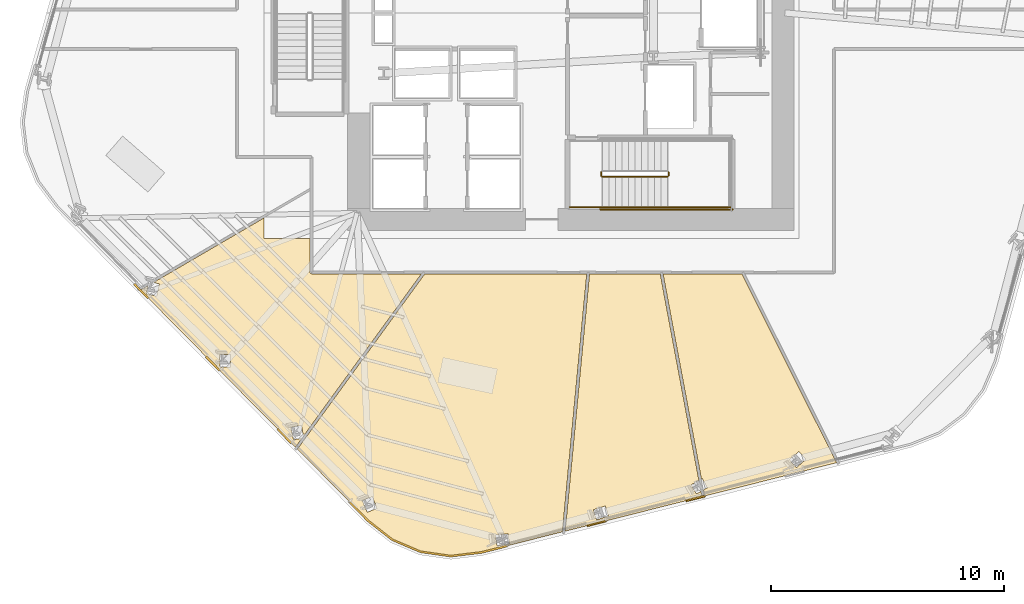
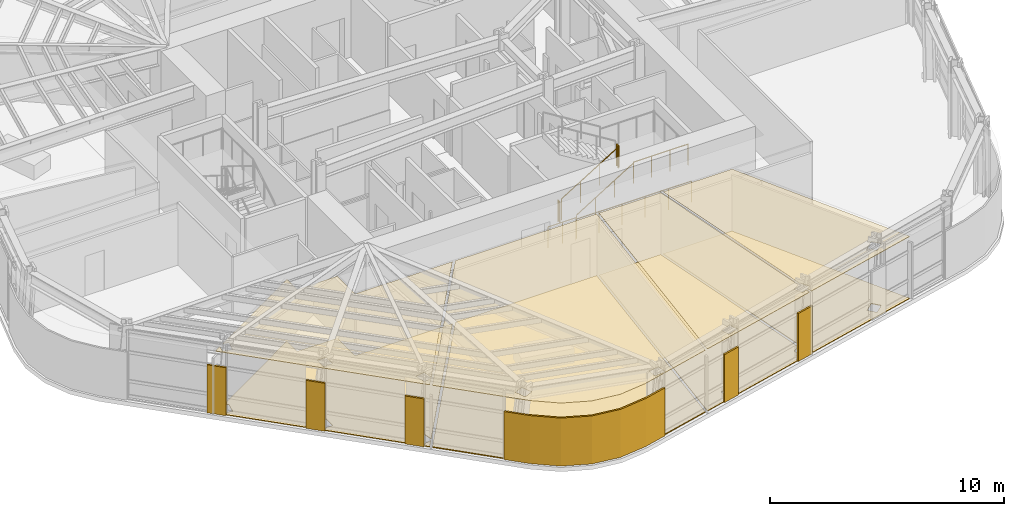
# One storey, part 12 of 17: 14 coverings, 7 railings.
"""IFC4 building model written with IfcOpenShell, lengths in metres."""

from ifc_helpers import new_model, si_unit, direction, frame, origin, origin_2d, place, context, subcontext, project, spatial, polyline, circle, outline, extrude, material, layer, layer_set, type_object, element, save


model = new_model("IFC4")

# Units and contexts
model_context = context("Model", 3, precision=1e-05, world=origin(), true_north=direction((0.0, 1.0)))
body_context = subcontext(model_context, "Body", "Model", "MODEL_VIEW")
ifc_project = project(units=[si_unit("LENGTHUNIT", "METRE"), si_unit("AREAUNIT", "SQUARE_METRE"), si_unit("VOLUMEUNIT", "CUBIC_METRE"), si_unit("PLANEANGLEUNIT", "RADIAN"), si_unit("MASSUNIT", "GRAM", prefix="KILO")], contexts=[model_context])

# Site, building, storey
site_placement = place(None, origin())
site = spatial("IfcSite", under=ifc_project, at=site_placement, CompositionType="ELEMENT")
building_placement = place(site_placement, origin())
building = spatial("IfcBuilding", under=site, at=building_placement, Name="Valkerne Bourse Tower", CompositionType="ELEMENT")
storey_placement = place(building_placement, frame((0.0, 0.0, 85.800048828125)))
storey = spatial("IfcBuildingStorey", under=building, at=storey_placement, Name="L21", CompositionType="ELEMENT", Elevation=85.800048828125)

# Coverings
ifc_material_1 = material(Name="Mineral Fiber Acoustic Ceiling Tile", Category="acoustic")
ifc_layer_1 = layer(ifc_material_1, 0.02490234375)
ifc_layer_set_1 = layer_set([ifc_layer_1], Name="Mineral Fiber Acoustic Ceiling Tile")
covering_type_1 = type_object("IfcCoveringType", Name="COV-CEIL-ACT", PredefinedType="CEILING", material=ifc_layer_set_1)
covering_1_placement = place(storey_placement, frame((0.0, 0.0, 3.22998046875)))
element("IfcCovering", 1, at=covering_1_placement, inside=storey, type_object=covering_type_1, Name="L21 Suspended Ceiling 03", PredefinedType="CEILING", context=body_context, shape_type="SweptSolid", body=[
    extrude(outline(polyline([(54.152099609375, 15.781005859375), (58.219482421875, 7.65869140625), (52.54736328125, 6.22802734375), (52.498291015625, 6.490234375), (52.663330078125, 6.582763671875), (52.44384765625, 6.9755859375), (52.44091796875, 6.974853515625), (52.410888671875, 6.957763671875), (50.759521484375, 15.781005859375), (54.152099609375, 15.781005859375)]), holes=[polyline([(56.494384765625, 7.44873046875), (56.8994140625, 7.80126953125), (56.604736328125, 8.14111328125), (56.601806640625, 8.1396484375), (56.197021484375, 7.787109375), (56.49169921875, 7.447265625), (56.494384765625, 7.44873046875)])]), origin(), (0.0, 0.0, 1.0), 0.02490234375),
])
covering_2_placement = place(storey_placement, frame((0.0, 0.0, 3.22998046875)))
element("IfcCovering", 2, at=covering_2_placement, inside=storey, type_object=covering_type_1, Name="L21 Suspended Ceiling 04", PredefinedType="CEILING", context=body_context, shape_type="SweptSolid", body=[
    extrude(outline(polyline([(50.6396484375, 15.781005859375), (52.30224609375, 6.89697265625), (51.97265625, 6.7119140625), (52.192138671875, 6.319091796875), (52.195068359375, 6.320068359375), (52.3896484375, 6.42919921875), (52.4326171875, 6.19921875), (46.552734375, 4.716064453125), (47.598876953125, 15.781005859375), (50.6396484375, 15.781005859375)]), holes=[polyline([(48.41259765625, 5.366943359375), (48.27783203125, 5.796142578125), (48.274658203125, 5.7958984375), (47.762939453125, 5.634033203125), (47.897705078125, 5.204833984375), (47.90087890625, 5.205078125), (48.41259765625, 5.366943359375)])]), origin(), (0.0, 0.0, 1.0), 0.02490234375),
])
covering_3_placement = place(storey_placement, frame((0.0, 0.0, 3.22998046875)))
element("IfcCovering", 3, at=covering_3_placement, inside=storey, type_object=covering_type_1, Name="L21 Suspended Ceiling 05", PredefinedType="CEILING", context=body_context, shape_type="SweptSolid", body=[
    extrude(outline(polyline([(35.5810546875, 15.849609375), (35.587890625, 15.820068359375), (35.6083984375, 15.794677734375), (35.6494140625, 15.781005859375), (40.37060546875, 15.781005859375), (35.2998046875, 8.806396484375), (35.21240234375, 9.261474609375), (35.209716796875, 9.26318359375), (34.76904296875, 9.1767578125), (34.87060546875, 8.6484375), (34.873046875, 8.646728515625), (35.2353515625, 8.7177734375), (34.9541015625, 8.3310546875), (28.285400390625, 15.08349609375), (28.626708984375, 15.282470703125), (28.5458984375, 14.921875), (28.547607421875, 14.919189453125), (28.986328125, 14.822998046875), (29.103759765625, 15.347900390625), (29.10205078125, 15.3505859375), (28.84130859375, 15.40771484375), (33.60009765625, 18.18310546875), (33.60009765625, 17.300048828125), (35.5810546875, 17.300048828125), (35.5810546875, 15.849609375)]), holes=[polyline([(32.16064453125, 12.3125), (31.71142578125, 12.3173828125), (31.70361328125, 11.779541015625), (31.70556640625, 11.777587890625), (32.15478515625, 11.7724609375), (32.162841796875, 12.310302734375), (32.16064453125, 12.3125)])]), origin(), (0.0, 0.0, 1.0), 0.02490234375),
])
covering_4_placement = place(storey_placement, frame((0.0, 0.0, 3.22998046875)))
element("IfcCovering", 4, at=covering_4_placement, inside=storey, type_object=covering_type_1, Name="L21 Suspended Ceiling 09", PredefinedType="CEILING", context=body_context, shape_type="SweptSolid", body=[
    extrude(outline(polyline([(40.33251953125, 3.835693359375), (39.11865234375, 4.353271484375), (38.072509765625, 5.173583984375), (35.0380859375, 8.24609375), (40.516357421875, 15.781005859375), (47.480224609375, 15.781005859375), (46.431396484375, 4.685302734375), (42.95849609375, 3.8095703125), (41.638916015625, 3.649658203125), (40.33251953125, 3.835693359375)]), holes=[polyline([(44.151611328125, 4.161376953125), (44.099853515625, 4.6083984375), (44.096435546875, 4.608642578125), (43.563720703125, 4.5458984375), (43.615478515625, 4.098876953125), (43.61865234375, 4.098388671875), (44.151611328125, 4.161376953125)]), polyline([(38.26025390625, 6.197998046875), (38.257080078125, 6.19921875), (37.8408203125, 6.031494140625), (38.03955078125, 5.53173828125), (38.04248046875, 5.530517578125), (38.458984375, 5.6982421875), (38.26025390625, 6.197998046875)])]), origin(), (0.0, 0.0, 1.0), 0.02490234375),
])
ifc_material_2 = material(Name="Bronze Anodised Aluminium AA 6063-T6", Category="aluminium")
ifc_layer_2 = layer(ifc_material_2, 0.06005859375)
ifc_layer_set_2 = layer_set([ifc_layer_2], Name="Bronze Anodised Aluminium AA 6063-T6")
covering_type_2 = type_object("IfcCoveringType", Name="COV-CRN-ALUM", PredefinedType="CLADDING", material=ifc_layer_set_2)
covering_5_placement = place(storey_placement, origin())
element("IfcCovering", 5, at=covering_5_placement, inside=storey, type_object=covering_type_2, Name="L21 Wind-Shaped Corner Aluminium Cladding 03", PredefinedType="CLADDING", context=body_context, shape_type="SweptSolid", body=[
    extrude(outline(polyline([(51.76220703125, 5.984619140625), (51.7421875, 6.062255859375), (52.556884765625, 6.267578125), (52.57666015625, 6.190185546875), (51.76220703125, 5.984619140625)])), origin(), (0.0, 0.0, 1.0), 2.5),
])
covering_6_placement = place(storey_placement, origin())
element("IfcCovering", 6, at=covering_6_placement, inside=storey, type_object=covering_type_2, Name="L21 Wind-Shaped Corner Aluminium Cladding 04", PredefinedType="CLADDING", context=body_context, shape_type="SweptSolid", body=[
    extrude(outline(polyline([(47.51220703125, 4.91259765625), (47.4921875, 4.990234375), (48.306884765625, 5.195556640625), (48.326904296875, 5.1181640625), (47.51220703125, 4.91259765625)])), origin(), (0.0, 0.0, 1.0), 2.5),
])
covering_7_placement = place(storey_placement, origin())
element("IfcCovering", 7, at=covering_7_placement, inside=storey, type_object=covering_type_2, Name="L21 Wind-Shaped Corner Aluminium Cladding 05", PredefinedType="CLADDING", context=body_context, shape_type="SweptSolid", body=[
    extrude(outline(polyline([(42.966552734375, 3.76611328125), (41.638427734375, 3.60546875), (40.3203125, 3.792724609375), (39.095947265625, 4.315185546875), (38.043212890625, 5.140625), (37.238525390625, 5.955322265625), (37.295654296875, 6.01123046875), (38.096435546875, 5.200439453125), (39.13720703125, 4.384521484375), (40.342041015625, 3.87060546875), (41.63916015625, 3.68603515625), (42.951904296875, 3.844970703125), (44.056884765625, 4.123779296875), (44.076904296875, 4.046142578125), (42.966552734375, 3.76611328125)])), origin(), (0.0, 0.0, 1.0), 2.5),
])
covering_8_placement = place(storey_placement, origin())
element("IfcCovering", 8, at=covering_8_placement, inside=storey, type_object=covering_type_2, Name="L21 Wind-Shaped Corner Aluminium Cladding 06", PredefinedType="CLADDING", context=body_context, shape_type="SweptSolid", body=[
    extrude(outline(polyline([(34.15869140625, 9.073974609375), (34.2158203125, 9.1298828125), (34.805908203125, 8.5322265625), (34.748779296875, 8.476318359375), (34.15869140625, 9.073974609375)])), origin(), (0.0, 0.0, 1.0), 2.5),
])
covering_9_placement = place(storey_placement, origin())
element("IfcCovering", 9, at=covering_9_placement, inside=storey, type_object=covering_type_2, Name="L21 Wind-Shaped Corner Aluminium Cladding 07", PredefinedType="CLADDING", context=body_context, shape_type="SweptSolid", body=[
    extrude(outline(polyline([(31.07861328125, 12.1923828125), (31.135986328125, 12.248291015625), (31.72607421875, 11.650634765625), (31.6689453125, 11.5947265625), (31.07861328125, 12.1923828125)])), origin(), (0.0, 0.0, 1.0), 2.5),
])
covering_10_placement = place(storey_placement, origin())
element("IfcCovering", 10, at=covering_10_placement, inside=storey, type_object=covering_type_2, Name="L21 Wind-Shaped Corner Aluminium Cladding 08", PredefinedType="CLADDING", context=body_context, shape_type="SweptSolid", body=[
    extrude(outline(polyline([(27.998779296875, 15.310791015625), (28.055908203125, 15.366943359375), (28.646240234375, 14.769287109375), (28.589111328125, 14.71337890625), (27.998779296875, 15.310791015625)])), origin(), (0.0, 0.0, 1.0), 2.5),
])
ifc_material_3 = material(Name="Galvanised Painted Steel", Category="steel")
ifc_layer_3 = layer(ifc_material_3, 0.044921875)
ifc_layer_set_3 = layer_set([ifc_layer_3], Name="Galvanised Painted Steel")
covering_type_3 = type_object("IfcCoveringType", Name="COV-FLR-RAF", PredefinedType="FLOORING", material=ifc_layer_set_3)
covering_11_placement = place(storey_placement, origin())
element("IfcCovering", 11, at=covering_11_placement, inside=storey, type_object=covering_type_3, Name="L21 Floor Finish 09", PredefinedType="FLOORING", context=body_context, shape_type="SweptSolid", body=[
    extrude(outline(polyline([(40.33251953125, 3.835693359375), (39.11865234375, 4.353271484375), (38.072509765625, 5.173583984375), (35.0380859375, 8.24609375), (40.516357421875, 15.781005859375), (47.480224609375, 15.781005859375), (46.431396484375, 4.685302734375), (42.95849609375, 3.8095703125), (41.638916015625, 3.649658203125), (40.33251953125, 3.835693359375)]), holes=[polyline([(44.151611328125, 4.161376953125), (44.099853515625, 4.6083984375), (44.096435546875, 4.608642578125), (43.563720703125, 4.5458984375), (43.615478515625, 4.098876953125), (43.61865234375, 4.098388671875), (44.151611328125, 4.161376953125)]), polyline([(38.26025390625, 6.197998046875), (38.257080078125, 6.19921875), (37.8408203125, 6.031494140625), (38.03955078125, 5.53173828125), (38.04248046875, 5.530517578125), (38.458984375, 5.6982421875), (38.26025390625, 6.197998046875)])]), origin(), (0.0, 0.0, 1.0), 0.044921875),
])
ifc_material_4 = material(Name="Polished Granite Stone", Category="masonry")
ifc_layer_4 = layer(ifc_material_4, 0.030029296875)
ifc_layer_set_4 = layer_set([ifc_layer_4], Name="Polished Granite Stone")
covering_type_4 = type_object("IfcCoveringType", Name="COV-FLR-TERRAZZO", PredefinedType="FLOORING", material=ifc_layer_set_4)
covering_12_placement = place(storey_placement, origin())
element("IfcCovering", 12, at=covering_12_placement, inside=storey, type_object=covering_type_4, Name="L21 Floor Finish 03", PredefinedType="FLOORING", context=body_context, shape_type="SweptSolid", body=[
    extrude(outline(polyline([(54.152099609375, 15.781005859375), (58.219482421875, 7.65869140625), (52.54736328125, 6.22802734375), (52.498291015625, 6.490234375), (52.663330078125, 6.582763671875), (52.44384765625, 6.9755859375), (52.44091796875, 6.974853515625), (52.410888671875, 6.957763671875), (50.759521484375, 15.781005859375), (54.152099609375, 15.781005859375)]), holes=[polyline([(56.494384765625, 7.44873046875), (56.8994140625, 7.80126953125), (56.604736328125, 8.14111328125), (56.601806640625, 8.1396484375), (56.197021484375, 7.787109375), (56.49169921875, 7.447265625), (56.494384765625, 7.44873046875)])]), origin(), (0.0, 0.0, 1.0), 0.030029296875),
])
covering_13_placement = place(storey_placement, origin())
element("IfcCovering", 13, at=covering_13_placement, inside=storey, type_object=covering_type_4, Name="L21 Floor Finish 04", PredefinedType="FLOORING", context=body_context, shape_type="SweptSolid", body=[
    extrude(outline(polyline([(50.6396484375, 15.781005859375), (52.30224609375, 6.89697265625), (51.97265625, 6.7119140625), (52.192138671875, 6.319091796875), (52.195068359375, 6.320068359375), (52.3896484375, 6.42919921875), (52.4326171875, 6.19921875), (46.552734375, 4.716064453125), (47.598876953125, 15.781005859375), (50.6396484375, 15.781005859375)]), holes=[polyline([(48.41259765625, 5.366943359375), (48.27783203125, 5.796142578125), (48.274658203125, 5.7958984375), (47.762939453125, 5.634033203125), (47.897705078125, 5.204833984375), (47.90087890625, 5.205078125), (48.41259765625, 5.366943359375)])]), origin(), (0.0, 0.0, 1.0), 0.030029296875),
])
covering_14_placement = place(storey_placement, origin())
element("IfcCovering", 14, at=covering_14_placement, inside=storey, type_object=covering_type_4, Name="L21 Floor Finish 05", PredefinedType="FLOORING", context=body_context, shape_type="SweptSolid", body=[
    extrude(outline(polyline([(35.5810546875, 15.849609375), (35.587890625, 15.820068359375), (35.6083984375, 15.794677734375), (35.6494140625, 15.781005859375), (40.37060546875, 15.781005859375), (35.2998046875, 8.806396484375), (35.21240234375, 9.261474609375), (35.209716796875, 9.26318359375), (34.76904296875, 9.1767578125), (34.87060546875, 8.6484375), (34.873046875, 8.646728515625), (35.2353515625, 8.7177734375), (34.9541015625, 8.3310546875), (28.285400390625, 15.08349609375), (28.626708984375, 15.282470703125), (28.5458984375, 14.921875), (28.547607421875, 14.919189453125), (28.986328125, 14.822998046875), (29.103759765625, 15.347900390625), (29.10205078125, 15.3505859375), (28.84130859375, 15.40771484375), (33.60009765625, 18.18310546875), (33.60009765625, 17.300048828125), (35.5810546875, 17.300048828125), (35.5810546875, 15.849609375)]), holes=[polyline([(32.16064453125, 12.3125), (31.71142578125, 12.3173828125), (31.70361328125, 11.779541015625), (31.70556640625, 11.777587890625), (32.15478515625, 11.7724609375), (32.162841796875, 12.310302734375), (32.16064453125, 12.3125)])]), origin(), (0.0, 0.0, 1.0), 0.030029296875),
])

# Railings
railing_type_1 = type_object("IfcRailingType", Name="RLG-ST-GUARD-1120", PredefinedType="GUARDRAIL", material=ifc_material_3)
railing_1_placement = place(storey_placement, frame((48.14990234375, 19.949951171875, 0.172607421875)))
element("IfcRailing", 15, at=railing_1_placement, inside=storey, type_object=railing_type_1, Name="L21 ST-1 stair guard 1", PredefinedType="GUARDRAIL", context=body_context, shape_type="SweptSolid", body=[
    extrude(circle(Radius=0.02392578125, at=origin_2d()), frame((0.0, 0.0, 1.09619140625), z_axis=(0.851089632645, 0.0, 0.525020415988), x_axis=(0.0, 1.0, 0.0)), (0.0, 0.0, 1.0), 3.2900390625),
    extrude(circle(Radius=0.02099609375, at=origin_2d()), origin(), (0.0, 0.0, 1.0), 1.072021484375),
    extrude(circle(Radius=0.02099609375, at=origin_2d()), frame((0.933349609375, 0.0, 0.57568359375)), (0.0, 0.0, 1.0), 1.072021484375),
    extrude(circle(Radius=0.02099609375, at=origin_2d()), frame((1.86669921875, 0.0, 1.151611328125)), (0.0, 0.0, 1.0), 1.072021484375),
    extrude(circle(Radius=0.02099609375, at=origin_2d()), frame((2.800048828125, 0.0, 1.727294921875)), (0.0, 0.0, 1.0), 1.072021484375),
])
railing_2_placement = place(storey_placement, frame((51.0, 20.0, 1.89990234375)))
element("IfcRailing", 16, at=railing_2_placement, inside=storey, type_object=railing_type_1, Name="L21 ST-1 stair guard 2", PredefinedType="GUARDRAIL", context=body_context, shape_type="SweptSolid", body=[
    extrude(circle(Radius=0.02392578125, at=origin_2d()), frame((0.0, 0.0, 1.09619140625), z_axis=(0.0, 1.0, 0.0), x_axis=(-1.0, 0.0, 0.0)), (0.0, 0.0, 1.0), 0.14990234375),
    extrude(circle(Radius=0.02099609375, at=origin_2d()), origin(), (0.0, 0.0, 1.0), 1.072021484375),
    extrude(circle(Radius=0.02099609375, at=origin_2d()), frame((0.0, 0.14990234375, 0.0)), (0.0, 0.0, 1.0), 1.072021484375),
])
railing_3_placement = place(storey_placement, frame((50.949951171875, 18.64990234375, 1.89990234375)))
element("IfcRailing", 17, at=railing_3_placement, inside=storey, type_object=railing_type_1, Name="L21 ST-1 stair guard 3", PredefinedType="GUARDRAIL", context=body_context, shape_type="SweptSolid", body=[
    extrude(circle(Radius=0.02392578125, at=origin_2d()), frame((0.0, 0.0, 1.09619140625), z_axis=(1.0, 0.0, 0.0), x_axis=(0.0, 1.0, 0.0)), (0.0, 0.0, 1.0), 2.699951171875),
    extrude(circle(Radius=0.02099609375, at=origin_2d()), origin(), (0.0, 0.0, 1.0), 1.072021484375),
    extrude(circle(Radius=0.02099609375, at=origin_2d()), frame((0.89990234375, 0.0, 0.0)), (0.0, 0.0, 1.0), 1.072021484375),
    extrude(circle(Radius=0.02099609375, at=origin_2d()), frame((1.800048828125, 0.0, 0.0)), (0.0, 0.0, 1.0), 1.072021484375),
    extrude(circle(Radius=0.02099609375, at=origin_2d()), frame((2.699951171875, 0.0, 0.0)), (0.0, 0.0, 1.0), 1.072021484375),
])
railing_4_placement = place(storey_placement, frame((48.10009765625, 20.0, 0.0)))
element("IfcRailing", 18, at=railing_4_placement, inside=storey, type_object=railing_type_1, Name="L21 ST-1 stair guard 7", PredefinedType="GUARDRAIL", context=body_context, shape_type="SweptSolid", body=[
    extrude(circle(Radius=0.02392578125, at=origin_2d()), frame((0.0, 0.0, 1.09619140625), z_axis=(0.0, 1.0, 0.0), x_axis=(-1.0, 0.0, 0.0)), (0.0, 0.0, 1.0), 0.14990234375),
    extrude(circle(Radius=0.02099609375, at=origin_2d()), origin(), (0.0, 0.0, 1.0), 1.072021484375),
    extrude(circle(Radius=0.02099609375, at=origin_2d()), frame((0.0, 0.14990234375, 0.0)), (0.0, 0.0, 1.0), 1.072021484375),
])
railing_5_placement = place(storey_placement, frame((46.75, 18.64990234375, 0.0)))
element("IfcRailing", 19, at=railing_5_placement, inside=storey, type_object=railing_type_1, Name="L21 ST-1 stair guard 8", PredefinedType="GUARDRAIL", context=body_context, shape_type="SweptSolid", body=[
    extrude(circle(Radius=0.02392578125, at=origin_2d()), frame((0.0, 0.0, 1.09619140625), z_axis=(1.0, 0.0, 0.0), x_axis=(0.0, 1.0, 0.0)), (0.0, 0.0, 1.0), 1.39990234375),
    extrude(circle(Radius=0.02099609375, at=origin_2d()), origin(), (0.0, 0.0, 1.0), 1.072021484375),
    extrude(circle(Radius=0.02099609375, at=origin_2d()), frame((0.699951171875, 0.0, 0.0)), (0.0, 0.0, 1.0), 1.072021484375),
    extrude(circle(Radius=0.02099609375, at=origin_2d()), frame((1.39990234375, 0.0, 0.0)), (0.0, 0.0, 1.0), 1.072021484375),
])
railing_6_placement = place(storey_placement, frame((48.050048828125, 18.550048828125, 0.0)))
element("IfcRailing", 20, at=railing_6_placement, inside=storey, type_object=railing_type_1, Name="L21 ST-1 stair guard 10", PredefinedType="GUARDRAIL", context=body_context, shape_type="SweptSolid", body=[
    extrude(circle(Radius=0.02392578125, at=origin_2d()), frame((0.0, 0.0, 1.09619140625), z_axis=(1.0, 0.0, 0.0), x_axis=(0.0, 1.0, 0.0)), (0.0, 0.0, 1.0), 5.699951171875),
    extrude(circle(Radius=0.02099609375, at=origin_2d()), origin(), (0.0, 0.0, 1.0), 1.072021484375),
    extrude(circle(Radius=0.02099609375, at=origin_2d()), frame((1.139892578125, 0.0, 0.0)), (0.0, 0.0, 1.0), 1.072021484375),
    extrude(circle(Radius=0.02099609375, at=origin_2d()), frame((2.280029296875, 0.0, 0.0)), (0.0, 0.0, 1.0), 1.072021484375),
    extrude(circle(Radius=0.02099609375, at=origin_2d()), frame((3.419921875, 0.0, 0.0)), (0.0, 0.0, 1.0), 1.072021484375),
    extrude(circle(Radius=0.02099609375, at=origin_2d()), frame((4.56005859375, 0.0, 0.0)), (0.0, 0.0, 1.0), 1.072021484375),
    extrude(circle(Radius=0.02099609375, at=origin_2d()), frame((5.699951171875, 0.0, 0.0)), (0.0, 0.0, 1.0), 1.072021484375),
])
ifc_material_5 = material(Name="Stainless Steel AISI 316", Category="steel")
railing_type_2 = type_object("IfcRailingType", Name="RLG-ST-HANDRAIL-900", PredefinedType="HANDRAIL", material=ifc_material_5)
railing_7_placement = place(storey_placement, frame((48.14990234375, 18.64990234375, 0.345458984375)))
element("IfcRailing", 21, at=railing_7_placement, inside=storey, type_object=railing_type_2, Name="L21 ST-1 stair handrail 1", PredefinedType="HANDRAIL", context=body_context, shape_type="SweptSolid", body=[
    extrude(circle(Radius=0.02392578125, at=origin_2d()), frame((0.0, 0.0, 0.8759765625), z_axis=(0.851089632645, 0.0, 0.525020415988), x_axis=(0.0, 1.0, 0.0)), (0.0, 0.0, 1.0), 3.2900390625),
    extrude(circle(Radius=0.02099609375, at=origin_2d()), origin(), (0.0, 0.0, 1.0), 0.851806640625),
    extrude(circle(Radius=0.02099609375, at=origin_2d()), frame((0.933349609375, 0.0, 0.57568359375)), (0.0, 0.0, 1.0), 0.851806640625),
    extrude(circle(Radius=0.02099609375, at=origin_2d()), frame((1.86669921875, 0.0, 1.151611328125)), (0.0, 0.0, 1.0), 0.851806640625),
    extrude(circle(Radius=0.02099609375, at=origin_2d()), frame((2.800048828125, 0.0, 1.727294921875)), (0.0, 0.0, 1.0), 0.851806640625),
])

save(model, "model.ifc")
